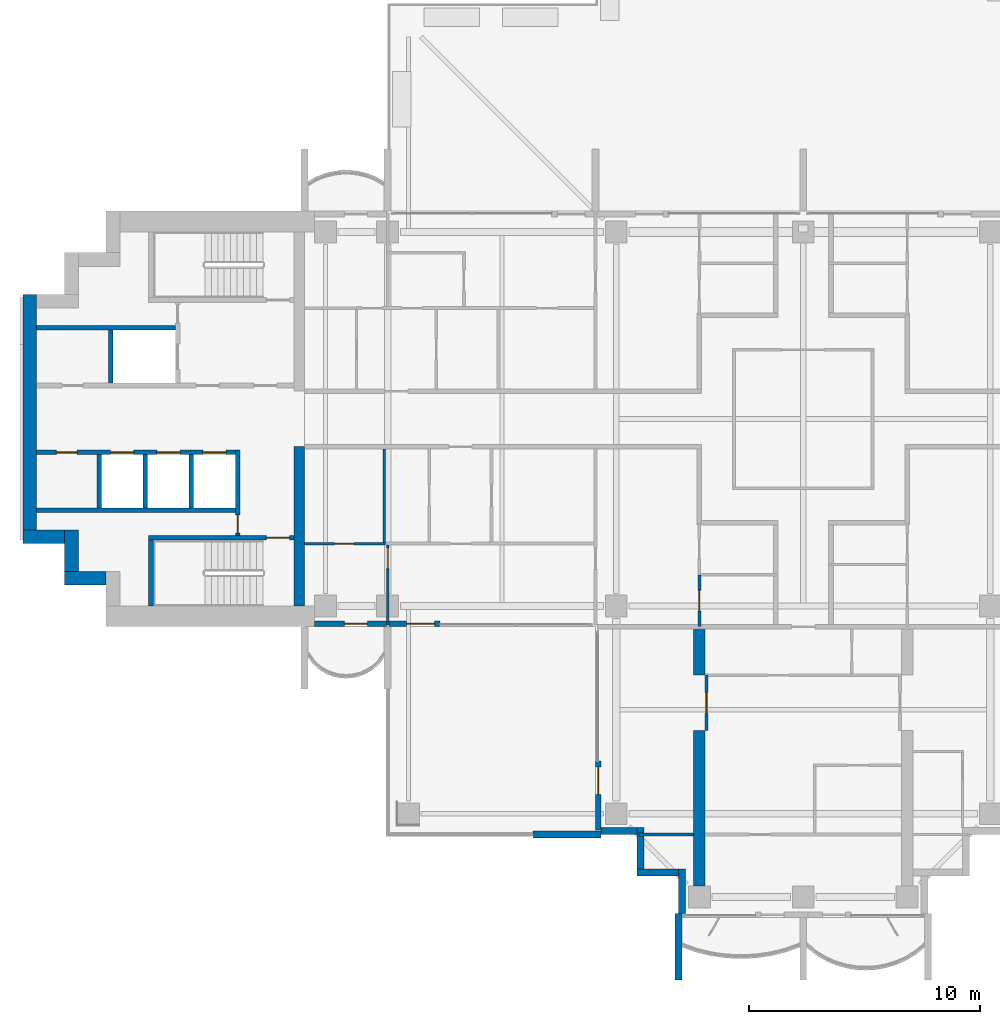
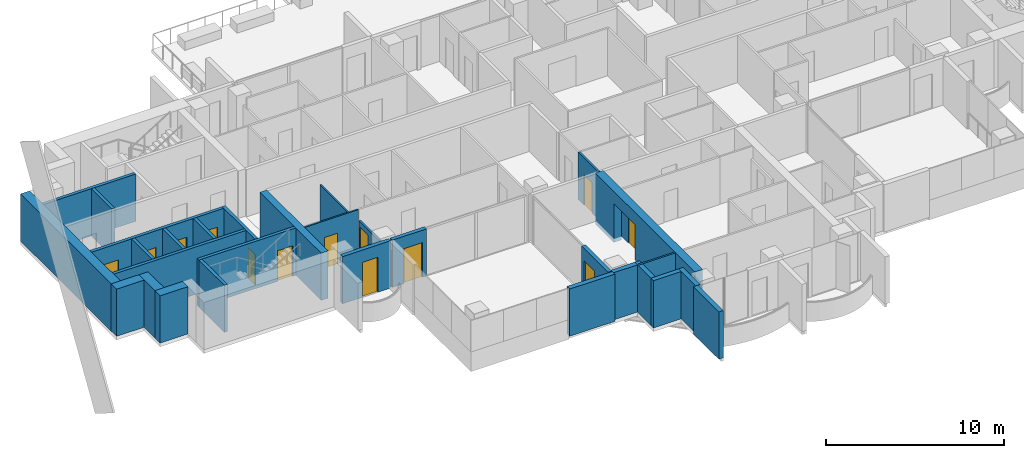
# One storey, part 8 of 18: 31 walls, 13 doors, 13 openings.
"""IFC4 building model written with IfcOpenShell, lengths in metres."""

import ifcopenshell
import ifcopenshell.guid

model = None  # the IFC model being written
_history = None  # IfcOwnerHistory: only IFC2X3 demands one
_inside = {}  # id of a spatial element -> (the spatial element, [elements in it])
_under = {}  # id of a project, library or spatial element -> (it, [spatial elements below it])
_declared = {}  # id of a project -> (the project, [libraries it declares])
_typed = {}  # id of a type object -> (the type object, [elements of that type])
_made_of = {}  # id of a material, layer set ... -> (it, [elements and type objects made of it])


def new_model(schema):
    """Start an empty IFC model of exactly this schema.

    Asked for "IFC4X3", IfcOpenShell would pick the latest addendum, in which some entities
    have other attributes; the version numbers below select the first issue.
    IFC2X3 requires an IfcOwnerHistory on every rooted entity: one is made here for all.
    """
    global model, _history
    if schema == "IFC4X3":
        model = ifcopenshell.file(schema_version=(4, 3, 0, 0))
    else:
        model = ifcopenshell.file(schema=schema)
    _inside.clear()
    _under.clear()
    _declared.clear()
    _typed.clear()
    _made_of.clear()
    _history = None
    if model.schema == "IFC2X3":
        org = make("IfcOrganization", Name="unknown")
        user = make(
            "IfcPersonAndOrganization",
            ThePerson=make("IfcPerson", FamilyName="unknown"),
            TheOrganization=org,
        )
        app = make(
            "IfcApplication",
            ApplicationDeveloper=org,
            Version="unknown",
            ApplicationFullName="unknown",
            ApplicationIdentifier="unknown",
        )
        _history = make(
            "IfcOwnerHistory",
            OwningUser=user,
            OwningApplication=app,
            ChangeAction="ADDED",
            CreationDate=0,
        )
    return model


def make(cls, **values):
    """One entity of the class cls with the attributes given. An attribute that is None is left unset."""
    return model.create_entity(
        cls, **{name: value for name, value in values.items() if value is not None}
    )


def rooted(cls, **values):
    """An entity with a GlobalId (a new one), such as an element, a storey or a relation."""
    return make(cls, GlobalId=ifcopenshell.guid.new(), OwnerHistory=_history, **values)


def si_unit(unit_type, name, prefix=None):
    """IfcSIUnit, for example si_unit("LENGTHUNIT", "METRE", prefix="MILLI")."""
    return make("IfcSIUnit", UnitType=unit_type, Prefix=prefix, Name=name)


def assignment(units):
    """IfcUnitAssignment: the units of a project."""
    return None if units is None else make("IfcUnitAssignment", Units=units)


def point(xyz):
    """IfcCartesianPoint."""
    return None if xyz is None else make("IfcCartesianPoint", Coordinates=xyz)


def direction(xyz):
    """IfcDirection."""
    return None if xyz is None else make("IfcDirection", DirectionRatios=xyz)


def frame(location, z_axis=None, x_axis=None):
    """IfcAxis2Placement3D, a coordinate frame: its origin and axes. An axis left out is left unset."""
    return make(
        "IfcAxis2Placement3D",
        Location=point(location),
        Axis=direction(z_axis),
        RefDirection=direction(x_axis),
    )


def frame_2d(location, x_axis=None):
    """IfcAxis2Placement2D, a coordinate frame in the plane: its origin and x axis."""
    return make(
        "IfcAxis2Placement2D", Location=point(location), RefDirection=direction(x_axis)
    )


def origin():
    """The frame at (0, 0, 0) with its axes left unset."""
    return frame((0.0, 0.0, 0.0))


def place(relative_to, where):
    """IfcLocalPlacement: puts the frame where relative to a parent placement (None: the world)."""
    return make(
        "IfcLocalPlacement", PlacementRelTo=relative_to, RelativePlacement=where
    )


def context(
    kind, dimensions, precision=None, world=None, true_north=None, identifier=None
):
    """IfcGeometricRepresentationContext, for example the 3D "Model" context."""
    return make(
        "IfcGeometricRepresentationContext",
        ContextIdentifier=identifier,
        ContextType=kind,
        CoordinateSpaceDimension=dimensions,
        Precision=precision,
        WorldCoordinateSystem=world,
        TrueNorth=true_north,
    )


def subcontext(parent, identifier, kind, view, scale=None):
    """IfcGeometricRepresentationSubContext, for example "Body" below "Model"."""
    return make(
        "IfcGeometricRepresentationSubContext",
        ContextIdentifier=identifier,
        ContextType=kind,
        ParentContext=parent,
        TargetScale=scale,
        TargetView=view,
    )


def project(units=None, contexts=None):
    """IfcProject with its units and contexts."""
    return rooted(
        "IfcProject",
        Name="project",
        RepresentationContexts=contexts,
        UnitsInContext=assignment(units),
    )


def spatial(cls, under=None, at=None, **own):
    """A site, building, storey or space (cls), placed at a placement, below another one or the project."""
    s = rooted(cls, ObjectPlacement=at, **own)
    if under is not None:
        _under.setdefault(under.id(), (under, []))[1].append(s)
    return s


def polyline(points):
    """IfcPolyline through the points."""
    return make("IfcPolyline", Points=[point(p) for p in points])


def profile(cls, at=None, kind="AREA", **sizes):
    """A parametric profile (cls). Its sizes go by their IFC names, for example OverallWidth=200.0."""
    return make(cls, ProfileType=kind, Position=at, **sizes)


def rectangle(**sizes):
    """IfcRectangleProfileDef."""
    return profile("IfcRectangleProfileDef", **sizes)


def outline(outer, holes=None, kind="AREA"):
    """IfcArbitraryClosedProfileDef: a profile drawn as a closed curve; with holes, ...WithVoids."""
    if holes is None:
        return make("IfcArbitraryClosedProfileDef", ProfileType=kind, OuterCurve=outer)
    return make(
        "IfcArbitraryProfileDefWithVoids",
        ProfileType=kind,
        OuterCurve=outer,
        InnerCurves=holes,
    )


def extrude(swept, where, along, depth):
    """IfcExtrudedAreaSolid: the profile swept, set in the frame where, extruded along a direction by depth."""
    return make(
        "IfcExtrudedAreaSolid",
        SweptArea=swept,
        Position=where,
        ExtrudedDirection=direction(along),
        Depth=depth,
    )


def shape(context_of_items, identifier, shape_type, items):
    """IfcShapeRepresentation: the items that make up one representation, for example the "Body"."""
    return make(
        "IfcShapeRepresentation",
        ContextOfItems=context_of_items,
        RepresentationIdentifier=identifier,
        RepresentationType=shape_type,
        Items=items,
    )


def material(Name=None, Category=None):
    """IfcMaterial."""
    return make("IfcMaterial", Name=Name, Category=Category)


def layer(
    of_material, thickness, ventilated=None, Name=None, Category=None, Priority=None
):
    """IfcMaterialLayer: one layer of a wall or slab, of a material (None: an air gap)."""
    return make(
        "IfcMaterialLayer",
        Material=of_material,
        LayerThickness=thickness,
        IsVentilated=ventilated,
        Name=Name,
        Category=Category,
        Priority=Priority,
    )


def layer_set(layers, Name=None):
    """IfcMaterialLayerSet."""
    return make("IfcMaterialLayerSet", MaterialLayers=layers, LayerSetName=Name)


def material_profile(
    of_material, cross_section, Name=None, Category=None, Priority=None
):
    """IfcMaterialProfile: a cross section and its material."""
    return make(
        "IfcMaterialProfile",
        Name=Name,
        Material=of_material,
        Profile=cross_section,
        Priority=Priority,
        Category=Category,
    )


def profile_set(profiles, Name=None, composite=None):
    """IfcMaterialProfileSet."""
    return make(
        "IfcMaterialProfileSet",
        Name=Name,
        MaterialProfiles=profiles,
        CompositeProfile=composite,
    )


def made_of(thing, what):
    """Note that an element or type object is made of a material, layer set ...; save() writes the relation."""
    if what is not None:
        _made_of.setdefault(what.id(), (what, []))[1].append(thing)
    return thing


def type_object(cls, material=None, **own):
    """A type object (cls), such as IfcWallType, which elements share."""
    return made_of(rooted(cls, **own), material)


def element(
    cls,
    number,
    at=None,
    inside=None,
    cuts=None,
    type_object=None,
    material=None,
    context=None,
    identifier="Body",
    shape_type=None,
    held_by="IfcProductDefinitionShape",
    body=None,
    shapes=None,
    **own,
):
    """One element of the class cls, such as IfcWall. Its Tag is "e" and its number.

    at: its placement. inside: the storey or other place that contains it. cuts: it is an
    opening in that element (IfcRelVoidsElement). A single representation is given by context,
    identifier, shape_type and body (its items); several are given by shapes. held_by: the class
    of the entity that holds the representations. save() writes the other relations.
    """
    e = rooted(cls, Tag="e%d" % number, ObjectPlacement=at, **own)
    if body is not None:
        shapes = [shape(context, identifier, shape_type, body)]
    if shapes is not None:
        e.Representation = make(held_by, Representations=shapes)
    if inside is not None:
        _inside.setdefault(inside.id(), (inside, []))[1].append(e)
    if cuts is not None:
        rooted(
            "IfcRelVoidsElement", RelatingBuildingElement=cuts, RelatedOpeningElement=e
        )
    if type_object is not None:
        _typed.setdefault(type_object.id(), (type_object, []))[1].append(e)
    return made_of(e, material)


def fill(opening, filler):
    """IfcRelFillsElement: the door or window that sits in an opening."""
    return rooted(
        "IfcRelFillsElement",
        RelatingOpeningElement=opening,
        RelatedBuildingElement=filler,
    )


def aggregate(whole, parts):
    """IfcRelAggregates: a whole, such as a stair, and the parts it consists of."""
    return rooted("IfcRelAggregates", RelatingObject=whole, RelatedObjects=parts)


def save(model, path):
    """Write the relations noted so far, then the file.

    IfcRelAggregates (storeys below a building ...), IfcRelContainedInSpatialStructure (elements
    in a storey), IfcRelDefinesByType, IfcRelAssociatesMaterial and IfcRelDeclares: one each for
    every whole, place, type object, material and project.
    """
    for whole, parts in _under.values():
        aggregate(whole, parts)
    for where, things in _inside.values():
        rooted(
            "IfcRelContainedInSpatialStructure",
            RelatedElements=things,
            RelatingStructure=where,
        )
    for kind, things in _typed.values():
        rooted("IfcRelDefinesByType", RelatedObjects=things, RelatingType=kind)
    for what, things in _made_of.values():
        rooted("IfcRelAssociatesMaterial", RelatedObjects=things, RelatingMaterial=what)
    for by, libraries in _declared.values():
        rooted("IfcRelDeclares", RelatingContext=by, RelatedDefinitions=libraries)
    model.write(path)


model = new_model("IFC4")

# Units and contexts
model_context = context("Model", 3, precision=1e-05, world=origin(), true_north=direction((0.0, 1.0)))
body_context = subcontext(model_context, "Body", "Model", "MODEL_VIEW")
ifc_project = project(units=[si_unit("LENGTHUNIT", "METRE"), si_unit("AREAUNIT", "SQUARE_METRE"), si_unit("VOLUMEUNIT", "CUBIC_METRE"), si_unit("PLANEANGLEUNIT", "RADIAN"), si_unit("MASSUNIT", "GRAM", prefix="KILO")], contexts=[model_context])

# Site, building, storey
site_placement = place(None, origin())
site = spatial("IfcSite", under=ifc_project, at=site_placement, CompositionType="ELEMENT")
building_placement = place(site_placement, origin())
building = spatial("IfcBuilding", under=site, at=building_placement, Name="Perihelion Cross Residences", CompositionType="ELEMENT")
storey_placement = place(building_placement, frame((0.0, 0.0, 166.60009765625)))
storey = spatial("IfcBuildingStorey", under=building, at=storey_placement, Name="L40", CompositionType="ELEMENT", Elevation=166.60009765625)

# Wall, opening, door
ifc_material_1 = material(Name="Concrete C30/37, bronze-clad", Category="concrete")
ifc_layer_1 = layer(ifc_material_1, 0.25)
ifc_layer_set_1 = layer_set([ifc_layer_1], Name="Bronze-clad pier wall 250")
wall_type_1 = type_object("IfcWallType", Name="Bronze-clad pier wall 250", PredefinedType="SOLIDWALL", material=ifc_layer_set_1)
wall_1_placement = place(storey_placement, frame((-21.175048828125, -8.875, 0.0), z_axis=(0.0, 0.0, 1.0), x_axis=(1.0, 0.0, 0.0)))
wall_1 = element("IfcWall", 1, at=wall_1_placement, inside=storey, type_object=wall_type_1, Name="Wall FW1 L40 west side south bay 1 pier", PredefinedType="SOLIDWALL", context=body_context, shape_type="SweptSolid", body=[
    extrude(rectangle(XDim=3.114990234375, YDim=0.25, at=frame_2d((1.5576171875, 0.0))), origin(), (0.0, 0.0, 1.0), 3.25),
])
opening_1_placement = place(wall_1_placement, frame((1.300048828125, 0.0, 0.0)))
opening_1 = element("IfcOpeningElement", 2, at=opening_1_placement, cuts=wall_1, Name="Opening L40.E07", PredefinedType="OPENING", context=body_context, shape_type="SweptSolid", body=[
    extrude(rectangle(XDim=1.0, YDim=2.39990234375, at=frame_2d((0.5, 1.199951171875))), frame((0.0, 0.135009765625, 0.0), z_axis=(0.0, -1.0, 0.0), x_axis=(1.0, 0.0, 0.0)), (0.0, 0.0, 1.0), 0.27001953125),
])
ifc_material_2 = material(Name="Bronze anodised aluminium, glazed", Category="aluminium")
door_type_1 = type_object("IfcDoorType", Name="Balcony door 1000 x 2400", OperationType="NOTDEFINED", PredefinedType="DOOR", material=ifc_material_2)
door_1_placement = place(opening_1_placement, origin())
door_1 = element("IfcDoor", 3, at=door_1_placement, inside=storey, type_object=door_type_1, Name="Door L40.E07 west side south bay 1", OperationType="SINGLE_SWING_LEFT", OverallHeight=2.39990234375, OverallWidth=1.0, PredefinedType="DOOR", context=body_context, shape_type="SweptSolid", body=[
    extrude(rectangle(XDim=1.0, YDim=2.39990234375, at=frame_2d((0.5, 1.199951171875))), frame((0.0, 0.02490234375, 0.0), z_axis=(0.0, -1.0, 0.0), x_axis=(1.0, 0.0, 0.0)), (0.0, 0.0, 1.0), 0.050048828125),
])
fill(opening_1, door_1)

wall_2_placement = place(storey_placement, frame((-17.93994140625, -8.875, 0.0), z_axis=(0.0, 0.0, 1.0), x_axis=(1.0, 0.0, 0.0)))
wall_2 = element("IfcWall", 4, at=wall_2_placement, inside=storey, type_object=wall_type_1, Name="Wall FW1 L40 west side south bay 2 pier", PredefinedType="SOLIDWALL", context=body_context, shape_type="SweptSolid", body=[
    extrude(rectangle(XDim=2.21484375, YDim=0.25, at=frame_2d((1.107421875, 0.0))), origin(), (0.0, 0.0, 1.0), 3.25),
])
opening_2_placement = place(wall_2_placement, frame((0.764892578125, 0.0, 0.0)))
opening_2 = element("IfcOpeningElement", 5, at=opening_2_placement, cuts=wall_2, Name="Opening L40.E08", PredefinedType="OPENING", context=body_context, shape_type="SweptSolid", body=[
    extrude(rectangle(XDim=1.199951171875, YDim=2.39990234375, at=frame_2d((0.60009765625, 1.199951171875))), frame((0.0, 0.135009765625, 0.0), z_axis=(0.0, -1.0, 0.0), x_axis=(1.0, 0.0, 0.0)), (0.0, 0.0, 1.0), 0.27001953125),
])
ifc_material_3 = material(Name="Bronze anodised aluminium, glazed", Category="aluminium")
door_type_2 = type_object("IfcDoorType", Name="Balcony door 1200 x 2400", OperationType="NOTDEFINED", PredefinedType="DOOR", material=ifc_material_3)
door_2_placement = place(opening_2_placement, origin())
door_2 = element("IfcDoor", 6, at=door_2_placement, inside=storey, type_object=door_type_2, Name="Door L40.E08 west side south bay 2", OperationType="SINGLE_SWING_RIGHT", OverallHeight=2.39990234375, OverallWidth=1.199951171875, PredefinedType="DOOR", context=body_context, shape_type="SweptSolid", body=[
    extrude(rectangle(XDim=1.199951171875, YDim=2.39990234375, at=frame_2d((0.60009765625, 1.199951171875))), frame((0.0, 0.02490234375, 0.0), z_axis=(0.0, -1.0, 0.0), x_axis=(1.0, 0.0, 0.0)), (0.0, 0.0, 1.0), 0.050048828125),
])
fill(opening_2, door_2)

wall_3_placement = place(storey_placement, frame((-8.875, -14.824951171875, 0.0), z_axis=(0.0, 0.0, 1.0), x_axis=(0.0, -1.0, 0.0)))
wall_3 = element("IfcWall", 7, at=wall_3_placement, inside=storey, type_object=wall_type_1, Name="Wall FW1 L40 south side west bay 1 pier", PredefinedType="SOLIDWALL", context=body_context, shape_type="SweptSolid", body=[
    extrude(rectangle(XDim=2.97509765625, YDim=0.25, at=frame_2d((1.487548828125, 0.0))), origin(), (0.0, 0.0, 1.0), 3.25),
])
opening_3_placement = place(wall_3_placement, frame((0.25, 0.0, 0.0)))
opening_3 = element("IfcOpeningElement", 8, at=opening_3_placement, cuts=wall_3, Name="Opening L40.E09", PredefinedType="OPENING", context=body_context, shape_type="SweptSolid", body=[
    extrude(rectangle(XDim=1.199951171875, YDim=2.39990234375, at=frame_2d((0.60009765625, 1.199951171875))), frame((0.0, 0.135009765625, 0.0), z_axis=(0.0, -1.0, 0.0), x_axis=(1.0, 0.0, 0.0)), (0.0, 0.0, 1.0), 0.27001953125),
])
door_3_placement = place(opening_3_placement, origin())
door_3 = element("IfcDoor", 9, at=door_3_placement, inside=storey, type_object=door_type_2, Name="Door L40.E09 south side west bay 1", OperationType="SINGLE_SWING_LEFT", OverallHeight=2.39990234375, OverallWidth=1.199951171875, PredefinedType="DOOR", context=body_context, shape_type="SweptSolid", body=[
    extrude(rectangle(XDim=1.199951171875, YDim=2.39990234375, at=frame_2d((0.60009765625, 1.199951171875))), frame((0.0, 0.02490234375, 0.0), z_axis=(0.0, -1.0, 0.0), x_axis=(1.0, 0.0, 0.0)), (0.0, 0.0, 1.0), 0.050048828125),
])
fill(opening_3, door_3)

# Walls
ifc_material_4 = material(Name="Concrete C30/37, bronze-clad", Category="concrete")
ifc_layer_2 = layer(ifc_material_4, 0.300048828125)
ifc_layer_set_2 = layer_set([ifc_layer_2], Name="Bronze-clad serration wall 300")
wall_type_2 = type_object("IfcWallType", Name="Bronze-clad serration wall 300", PredefinedType="SOLIDWALL", material=ifc_layer_set_2)
wall_4_placement = place(storey_placement, frame((-8.75, -17.85009765625, 0.0), z_axis=(0.0, 0.0, 1.0), x_axis=(1.0, 0.0, 0.0)))
element("IfcWall", 10, at=wall_4_placement, inside=storey, type_object=wall_type_2, Name="Wall SR1 L40 south corner south-west 1", PredefinedType="SOLIDWALL", context=body_context, shape_type="SweptSolid", body=[
    extrude(rectangle(XDim=1.550048828125, YDim=0.300048828125, at=frame_2d((0.77490234375, 0.0))), origin(), (0.0, 0.0, 1.0), 3.25),
])
for number, where, z_axis, x_axis, name in (
    (11, (-7.050048828125, -17.699951171875, 0.0), (0.0, 0.0, 1.0), (0.0, -1.0, 0.0), "Wall SR1 L40 south corner south-west 2"),
    (12, (-7.199951171875, -19.64990234375, 0.0), (0.0, 0.0, 1.0), (1.0, 0.0, 0.0), "Wall SR1 L40 south corner south-west 3"),
):
    element("IfcWall", number, at=place(storey_placement, frame(where, z_axis=z_axis, x_axis=x_axis)), inside=storey, type_object=wall_type_2, Name=name, PredefinedType="SOLIDWALL", context=body_context, shape_type="SweptSolid", body=[
        extrude(rectangle(XDim=1.800048828125, YDim=0.300048828125, at=frame_2d((0.89990234375, 0.0))), origin(), (0.0, 0.0, 1.0), 3.25),
    ])
wall_5_placement = place(storey_placement, frame((-5.25, -19.5, 0.0), z_axis=(0.0, 0.0, 1.0), x_axis=(0.0, -1.0, 0.0)))
element("IfcWall", 13, at=wall_5_placement, inside=storey, type_object=wall_type_2, Name="Wall SR1 L40 south corner south-west 4", PredefinedType="SOLIDWALL", context=body_context, shape_type="SweptSolid", body=[
    extrude(rectangle(XDim=1.919921875, YDim=0.300048828125, at=frame_2d((0.9599609375, 0.0))), origin(), (0.0, 0.0, 1.0), 3.25),
])
ifc_material_5 = material(Name="Concrete C60/75", Category="concrete")
ifc_layer_3 = layer(ifc_material_5, 0.449951171875)
ifc_layer_set_3 = layer_set([ifc_layer_3], Name="Core wall, inner 450")
wall_type_3 = type_object("IfcWallType", Name="Core wall, inner 450", PredefinedType="SHEAR", material=ifc_layer_set_3)
wall_6_placement = place(storey_placement, frame((-21.824951171875, -8.10009765625, 0.0), z_axis=(0.0, 0.0, 1.0), x_axis=(0.0, 1.0, 0.0)))
element("IfcWall", 14, at=wall_6_placement, inside=storey, type_object=wall_type_3, Name="West core core wall, inner", PredefinedType="SHEAR", context=body_context, shape_type="SweptSolid", body=[
    extrude(rectangle(XDim=6.900146484375, YDim=0.449951171875, at=frame_2d((3.4501953125, 0.0))), origin(), (0.0, 0.0, 1.0), 3.25),
])
ifc_material_6 = material(Name="Concrete C60/75", Category="concrete")
ifc_layer_4 = layer(ifc_material_6, 0.60009765625)
ifc_layer_set_4 = layer_set([ifc_layer_4], Name="Core wall, outer 600")
wall_type_4 = type_object("IfcWallType", Name="Core wall, outer 600", PredefinedType="SHEAR", material=ifc_layer_set_4)
for number, where, z_axis, x_axis, name in (
    (15, (-32.0, -6.89990234375, 0.0), (0.0, 0.0, 1.0), (1.0, 0.0, 0.0), "West core core wall, outer"),
    (16, (-31.699951171875, -6.60009765625, 0.0), (0.0, 0.0, 1.0), (0.0, 1.0, 0.0), "West core core wall, outer"),
    (17, (-33.800048828125, -5.10009765625, 0.0), (0.0, 0.0, 1.0), (1.0, 0.0, 0.0), "West core core wall, outer"),
):
    element("IfcWall", number, at=place(storey_placement, frame(where, z_axis=z_axis, x_axis=x_axis)), inside=storey, type_object=wall_type_4, Name=name, PredefinedType="SHEAR", context=body_context, shape_type="SweptSolid", body=[
        extrude(rectangle(XDim=1.800048828125, YDim=0.60009765625, at=frame_2d((0.89990234375, 0.0))), origin(), (0.0, 0.0, 1.0), 3.25),
    ])
wall_7_placement = place(storey_placement, frame((-33.5, -4.800048828125, 0.0), z_axis=(0.0, 0.0, 1.0), x_axis=(0.0, 1.0, 0.0)))
element("IfcWall", 18, at=wall_7_placement, inside=storey, type_object=wall_type_4, Name="West core core wall, outer", PredefinedType="SHEAR", context=body_context, shape_type="SweptSolid", body=[
    extrude(rectangle(XDim=10.199951171875, YDim=0.60009765625, at=frame_2d((5.10009765625, 0.0))), origin(), (0.0, 0.0, 1.0), 3.25),
])

# Wall, opening, door
ifc_material_7 = material(Name="Plasterboard partition")
ifc_layer_5 = layer(ifc_material_7, 0.1201171875)
ifc_layer_set_5 = layer_set([ifc_layer_5], Name="Infill panel 120")
wall_type_5 = type_object("IfcWallType", Name="Infill panel 120", PredefinedType="PARTITIONING", material=ifc_layer_set_5)
wall_8_placement = place(storey_placement, frame((-4.18994140625, -11.10009765625, 0.0), z_axis=(0.0, 0.0, 1.0), x_axis=(0.0, -1.0, 0.0)))
wall_8 = element("IfcWall", 19, at=wall_8_placement, inside=storey, type_object=wall_type_5, Name="Partition L40 WI02", PredefinedType="PARTITIONING", context=body_context, shape_type="SweptSolid", body=[
    extrude(rectangle(XDim=2.39990234375, YDim=0.1201171875, at=frame_2d((1.199951171875, 0.0))), origin(), (0.0, 0.0, 1.0), 2.39990234375),
])
opening_4_placement = place(wall_8_placement, frame((0.75, 0.0, 0.0)))
opening_4 = element("IfcOpeningElement", 20, at=opening_4_placement, cuts=wall_8, Name="Opening L40.A50", PredefinedType="OPENING", context=body_context, shape_type="SweptSolid", body=[
    extrude(rectangle(XDim=0.89990234375, YDim=2.10009765625, at=frame_2d((0.449951171875, 1.050048828125))), frame((0.0, 0.070068359375, 0.0), z_axis=(0.0, -1.0, 0.0), x_axis=(1.0, 0.0, 0.0)), (0.0, 0.0, 1.0), 0.14013671875),
])
ifc_material_8 = material(Name="Timber door leaf", Category="wood")
door_type_3 = type_object("IfcDoorType", Name="Interior room door 900 x 2100", OperationType="SINGLE_SWING_LEFT", PredefinedType="DOOR", material=ifc_material_8)
door_4_placement = place(opening_4_placement, origin())
door_4 = element("IfcDoor", 21, at=door_4_placement, inside=storey, type_object=door_type_3, Name="Door L40.A50", OperationType="SINGLE_SWING_RIGHT", OverallHeight=2.10009765625, OverallWidth=0.89990234375, PredefinedType="DOOR", context=body_context, shape_type="SweptSolid", body=[
    extrude(rectangle(XDim=0.89990234375, YDim=2.10009765625, at=frame_2d((0.449951171875, 1.050048828125))), frame((0.0, 0.02490234375, 0.0), z_axis=(0.0, -1.0, 0.0), x_axis=(1.0, 0.0, 0.0)), (0.0, 0.0, 1.0), 0.050048828125),
])
fill(opening_4, door_4)

ifc_material_9 = material(Name="Concrete C50/60", Category="concrete")
ifc_layer_6 = layer(ifc_material_9, 0.199951171875)
ifc_layer_set_6 = layer_set([ifc_layer_6], Name="Lobby wall 200")
wall_type_6 = type_object("IfcWallType", Name="Lobby wall 200", PredefinedType="SOLIDWALL", material=ifc_layer_set_6)
wall_9_placement = place(storey_placement, frame((-24.5, -5.050048828125, 0.0), z_axis=(0.0, 0.0, 1.0), x_axis=(0.0, 1.0, 0.0)))
wall_9 = element("IfcWall", 22, at=wall_9_placement, inside=storey, type_object=wall_type_6, Name="West core lobby wall", PredefinedType="SOLIDWALL", context=body_context, shape_type="SweptSolid", body=[
    extrude(rectangle(XDim=3.699951171875, YDim=0.199951171875, at=frame_2d((1.85009765625, 0.0))), origin(), (0.0, 0.0, 1.0), 3.25),
])
opening_5_placement = place(wall_9_placement, frame((0.10009765625, 0.0, 0.0)))
opening_5 = element("IfcOpeningElement", 23, at=opening_5_placement, cuts=wall_9, Name="Opening L40.C20", PredefinedType="OPENING", context=body_context, shape_type="SweptSolid", body=[
    extrude(rectangle(XDim=0.800048828125, YDim=2.10009765625, at=frame_2d((0.39990234375, 1.050048828125))), frame((0.0, 0.10986328125, 0.0), z_axis=(0.0, -1.0, 0.0), x_axis=(1.0, 0.0, 0.0)), (0.0, 0.0, 1.0), 0.219970703125),
])
ifc_material_10 = material(Name="Steel, powder coated", Category="steel")
door_type_4 = type_object("IfcDoorType", Name="Riser door 800", OperationType="SINGLE_SWING_LEFT", PredefinedType="DOOR", material=ifc_material_10)
door_5_placement = place(opening_5_placement, origin())
door_5 = element("IfcDoor", 24, at=door_5_placement, inside=storey, type_object=door_type_4, Name="West core riser door", OperationType="SINGLE_SWING_LEFT", OverallHeight=2.10009765625, OverallWidth=0.800048828125, PredefinedType="DOOR", context=body_context, shape_type="SweptSolid", body=[
    extrude(rectangle(XDim=0.800048828125, YDim=2.10009765625, at=frame_2d((0.39990234375, 1.050048828125))), frame((0.0, 0.02490234375, 0.0), z_axis=(0.0, -1.0, 0.0), x_axis=(1.0, 0.0, 0.0)), (0.0, 0.0, 1.0), 0.050048828125),
])
fill(opening_5, door_5)

ifc_material_11 = material(Name="Plasterboard partition")
ifc_layer_7 = layer(ifc_material_11, 0.1201171875)
ifc_layer_set_7 = layer_set([ifc_layer_7], Name="Partition wall 120")
wall_type_7 = type_object("IfcWallType", Name="Partition wall 120", PredefinedType="PARTITIONING", material=ifc_layer_set_7)
wall_10_placement = place(storey_placement, frame((-18.0, -8.919921875, 0.0), z_axis=(0.0, 0.0, 1.0), x_axis=(0.0, 1.0, 0.0)))
wall_10 = element("IfcWall", 25, at=wall_10_placement, inside=storey, type_object=wall_type_7, Name="Partition L40 W069", PredefinedType="PARTITIONING", context=body_context, shape_type="SweptSolid", body=[
    extrude(rectangle(XDim=3.4599609375, YDim=0.1201171875, at=frame_2d((1.72998046875, 0.0))), origin(), (0.0, 0.0, 1.0), 2.47998046875),
])
opening_6_placement = place(wall_10_placement, frame((2.43994140625, 0.0, 0.0)))
opening_6 = element("IfcOpeningElement", 26, at=opening_6_placement, cuts=wall_10, Name="Opening L40.A35", PredefinedType="OPENING", context=body_context, shape_type="SweptSolid", body=[
    extrude(rectangle(XDim=0.89990234375, YDim=2.10009765625, at=frame_2d((0.449951171875, 1.050048828125))), frame((0.0, 0.070068359375, 0.0), z_axis=(0.0, -1.0, 0.0), x_axis=(1.0, 0.0, 0.0)), (0.0, 0.0, 1.0), 0.14013671875),
])
door_6_placement = place(opening_6_placement, origin())
door_6 = element("IfcDoor", 27, at=door_6_placement, inside=storey, type_object=door_type_3, Name="Door L40.A35", OperationType="SINGLE_SWING_RIGHT", OverallHeight=2.10009765625, OverallWidth=0.89990234375, PredefinedType="DOOR", context=body_context, shape_type="SweptSolid", body=[
    extrude(rectangle(XDim=0.89990234375, YDim=2.10009765625, at=frame_2d((0.449951171875, 1.050048828125))), frame((0.0, 0.02490234375, 0.0), z_axis=(0.0, -1.0, 0.0), x_axis=(1.0, 0.0, 0.0)), (0.0, 0.0, 1.0), 0.050048828125),
])
fill(opening_6, door_6)

wall_11_placement = place(storey_placement, frame((-4.5, -6.75, 0.0), z_axis=(0.0, 0.0, 1.0), x_axis=(0.0, -1.0, 0.0)))
wall_11 = element("IfcWall", 28, at=wall_11_placement, inside=storey, type_object=wall_type_7, Name="Partition L40 W071", PredefinedType="PARTITIONING", context=body_context, shape_type="SweptSolid", body=[
    extrude(rectangle(XDim=2.25, YDim=0.1201171875, at=frame_2d((1.125, 0.0))), origin(), (0.0, 0.0, 1.0), 3.25),
])
opening_7_placement = place(wall_11_placement, frame((0.675048828125, 0.0, 0.0)))
opening_7 = element("IfcOpeningElement", 29, at=opening_7_placement, cuts=wall_11, Name="Opening L40.A33", PredefinedType="OPENING", context=body_context, shape_type="SweptSolid", body=[
    extrude(rectangle(XDim=0.89990234375, YDim=2.10009765625, at=frame_2d((0.449951171875, 1.050048828125))), frame((0.0, 0.070068359375, 0.0), z_axis=(0.0, -1.0, 0.0), x_axis=(1.0, 0.0, 0.0)), (0.0, 0.0, 1.0), 0.14013671875),
])
door_7_placement = place(opening_7_placement, origin())
door_7 = element("IfcDoor", 30, at=door_7_placement, inside=storey, type_object=door_type_3, Name="Door L40.A33", OperationType="SINGLE_SWING_LEFT", OverallHeight=2.10009765625, OverallWidth=0.89990234375, PredefinedType="DOOR", context=body_context, shape_type="SweptSolid", body=[
    extrude(rectangle(XDim=0.89990234375, YDim=2.10009765625, at=frame_2d((0.449951171875, 1.050048828125))), frame((0.0, 0.02490234375, 0.0), z_axis=(0.0, -1.0, 0.0), x_axis=(1.0, 0.0, 0.0)), (0.0, 0.0, 1.0), 0.050048828125),
])
fill(opening_7, door_7)

# Walls
wall_12_placement = place(storey_placement, frame((-4.75, -18.0, 0.0), z_axis=(0.0, 0.0, 1.0), x_axis=(-1.0, 0.0, 0.0)))
element("IfcWall", 31, at=wall_12_placement, inside=storey, type_object=wall_type_7, Name="Partition L40 W082", PredefinedType="PARTITIONING", context=body_context, shape_type="SweptSolid", body=[
    extrude(rectangle(XDim=2.3701171875, YDim=0.1201171875, at=frame_2d((1.18505859375, 0.0))), origin(), (0.0, 0.0, 1.0), 3.25),
])
ifc_material_12 = material(Name="Precast concrete C50/60", Category="concrete")
ifc_layer_8 = layer(ifc_material_12, 0.300048828125)
ifc_layer_set_8 = layer_set([ifc_layer_8], Name="Precast concrete C50/60 blade wall 300")
wall_type_8 = type_object("IfcWallType", Name="Precast concrete C50/60 blade wall 300", PredefinedType="SOLIDWALL", material=ifc_layer_set_8)
wall_13_placement = place(storey_placement, frame((-8.75, -18.0, 0.0), z_axis=(0.0, 0.0, 1.0), x_axis=(-1.0, 0.0, 0.0)))
element("IfcWall", 32, at=wall_13_placement, inside=storey, type_object=wall_type_8, Name="Wall BL1 L40 no. 6", PredefinedType="SOLIDWALL", context=body_context, shape_type="SweptSolid", body=[
    extrude(rectangle(XDim=2.949951171875, YDim=0.300048828125, at=frame_2d((1.47509765625, 0.0))), origin(), (0.0, 0.0, 1.0), 3.25),
])
wall_14_placement = place(storey_placement, frame((-5.39990234375, -21.419921875, 0.0), z_axis=(0.0, 0.0, 1.0), x_axis=(0.0, -1.0, 0.0)))
element("IfcWall", 33, at=wall_14_placement, inside=storey, type_object=wall_type_8, Name="Wall BL1 L40 no. 5", PredefinedType="SOLIDWALL", context=body_context, shape_type="SweptSolid", body=[
    extrude(rectangle(XDim=2.880126953125, YDim=0.300048828125, at=frame_2d((1.43994140625, 0.0))), origin(), (0.0, 0.0, 1.0), 3.25),
])

# Wall, openings, doors
ifc_material_13 = material(Name="Concrete C50/60", Category="concrete")
ifc_layer_9 = layer(ifc_material_13, 0.199951171875)
ifc_layer_set_9 = layer_set([ifc_layer_9], Name="Shaft wall 200")
wall_type_9 = type_object("IfcWallType", Name="Shaft wall 200", PredefinedType="SOLIDWALL", material=ifc_layer_set_9)
wall_15_placement = place(storey_placement, frame((-33.199951171875, -1.449951171875, 0.0), z_axis=(0.0, 0.0, 1.0), x_axis=(1.0, 0.0, 0.0)))
wall_15 = element("IfcWall", 34, at=wall_15_placement, inside=storey, type_object=wall_type_9, Name="West core shaft wall", PredefinedType="SOLIDWALL", context=body_context, shape_type="SweptSolid", body=[
    extrude(rectangle(XDim=8.599853515625, YDim=0.199951171875, at=frame_2d((4.2998046875, 0.0))), origin(), (0.0, 0.0, 1.0), 3.25),
])
opening_8_placement = place(wall_15_placement, frame((7.199951171875, 0.0, 0.0)))
opening_8 = element("IfcOpeningElement", 35, at=opening_8_placement, cuts=wall_15, Name="Opening L40.C13", PredefinedType="OPENING", context=body_context, shape_type="SweptSolid", body=[
    extrude(rectangle(XDim=1.0, YDim=2.10009765625, at=frame_2d((0.5, 1.050048828125))), frame((0.0, 0.10986328125, 0.0), z_axis=(0.0, -1.0, 0.0), x_axis=(1.0, 0.0, 0.0)), (0.0, 0.0, 1.0), 0.219970703125),
])
opening_9_placement = place(wall_15_placement, frame((5.199951171875, 0.0, 0.0)))
opening_9 = element("IfcOpeningElement", 36, at=opening_9_placement, cuts=wall_15, Name="Opening L40.C15", PredefinedType="OPENING", context=body_context, shape_type="SweptSolid", body=[
    extrude(rectangle(XDim=1.0, YDim=2.10009765625, at=frame_2d((0.5, 1.050048828125))), frame((0.0, 0.10986328125, 0.0), z_axis=(0.0, -1.0, 0.0), x_axis=(1.0, 0.0, 0.0)), (0.0, 0.0, 1.0), 0.219970703125),
])
opening_10_placement = place(wall_15_placement, frame((3.199951171875, 0.0, 0.0)))
opening_10 = element("IfcOpeningElement", 37, at=opening_10_placement, cuts=wall_15, Name="Opening L40.C16", PredefinedType="OPENING", context=body_context, shape_type="SweptSolid", body=[
    extrude(rectangle(XDim=1.0, YDim=2.10009765625, at=frame_2d((0.5, 1.050048828125))), frame((0.0, 0.10986328125, 0.0), z_axis=(0.0, -1.0, 0.0), x_axis=(1.0, 0.0, 0.0)), (0.0, 0.0, 1.0), 0.219970703125),
])
opening_11_placement = place(wall_15_placement, frame((0.85009765625, 0.0, 0.0)))
opening_11 = element("IfcOpeningElement", 38, at=opening_11_placement, cuts=wall_15, Name="Opening L40.C24", PredefinedType="OPENING", context=body_context, shape_type="SweptSolid", body=[
    extrude(rectangle(XDim=0.89990234375, YDim=2.10009765625, at=frame_2d((0.449951171875, 1.050048828125))), frame((0.0, 0.10986328125, 0.0), z_axis=(0.0, -1.0, 0.0), x_axis=(1.0, 0.0, 0.0)), (0.0, 0.0, 1.0), 0.219970703125),
])
ifc_material_14 = material(Name="Stainless steel", Category="steel")
door_type_5 = type_object("IfcDoorType", Name="Landing door 1000", OperationType="DOUBLE_DOOR_SLIDING", PredefinedType="DOOR", material=ifc_material_14)
door_8_placement = place(opening_8_placement, origin())
door_8 = element("IfcDoor", 39, at=door_8_placement, inside=storey, type_object=door_type_5, Name="Landing door, West core high-rise lift 1", OperationType="DOUBLE_DOOR_SLIDING", OverallHeight=2.10009765625, OverallWidth=1.0, PredefinedType="DOOR", context=body_context, shape_type="SweptSolid", body=[
    extrude(rectangle(XDim=1.0, YDim=2.10009765625, at=frame_2d((0.5, 1.050048828125))), frame((0.0, 0.02490234375, 0.0), z_axis=(0.0, -1.0, 0.0), x_axis=(1.0, 0.0, 0.0)), (0.0, 0.0, 1.0), 0.050048828125),
])
fill(opening_8, door_8)
door_9_placement = place(opening_9_placement, origin())
door_9 = element("IfcDoor", 40, at=door_9_placement, inside=storey, type_object=door_type_5, Name="Landing door, West core high-rise lift 2", OperationType="DOUBLE_DOOR_SLIDING", OverallHeight=2.10009765625, OverallWidth=1.0, PredefinedType="DOOR", context=body_context, shape_type="SweptSolid", body=[
    extrude(rectangle(XDim=1.0, YDim=2.10009765625, at=frame_2d((0.5, 1.050048828125))), frame((0.0, 0.02490234375, 0.0), z_axis=(0.0, -1.0, 0.0), x_axis=(1.0, 0.0, 0.0)), (0.0, 0.0, 1.0), 0.050048828125),
])
fill(opening_9, door_9)
door_10_placement = place(opening_10_placement, origin())
door_10 = element("IfcDoor", 41, at=door_10_placement, inside=storey, type_object=door_type_5, Name="Landing door, West core high-rise lift 3", OperationType="DOUBLE_DOOR_SLIDING", OverallHeight=2.10009765625, OverallWidth=1.0, PredefinedType="DOOR", context=body_context, shape_type="SweptSolid", body=[
    extrude(rectangle(XDim=1.0, YDim=2.10009765625, at=frame_2d((0.5, 1.050048828125))), frame((0.0, 0.02490234375, 0.0), z_axis=(0.0, -1.0, 0.0), x_axis=(1.0, 0.0, 0.0)), (0.0, 0.0, 1.0), 0.050048828125),
])
fill(opening_10, door_10)
ifc_material_15 = material(Name="Steel, powder coated", Category="steel")
door_type_6 = type_object("IfcDoorType", Name="Service room door 900", OperationType="SINGLE_SWING_LEFT", PredefinedType="DOOR", material=ifc_material_15)
door_11_placement = place(opening_11_placement, origin())
door_11 = element("IfcDoor", 42, at=door_11_placement, inside=storey, type_object=door_type_6, Name="West core service room door", OperationType="SINGLE_SWING_LEFT", OverallHeight=2.10009765625, OverallWidth=0.89990234375, PredefinedType="DOOR", context=body_context, shape_type="SweptSolid", body=[
    extrude(rectangle(XDim=0.89990234375, YDim=2.10009765625, at=frame_2d((0.449951171875, 1.050048828125))), frame((0.0, 0.02490234375, 0.0), z_axis=(0.0, -1.0, 0.0), x_axis=(1.0, 0.0, 0.0)), (0.0, 0.0, 1.0), 0.050048828125),
])
fill(opening_11, door_11)

# Walls
wall_16_placement = place(storey_placement, frame((-33.199951171875, 3.949951171875, 0.0), z_axis=(0.0, 0.0, 1.0), x_axis=(1.0, 0.0, 0.0)))
element("IfcWall", 43, at=wall_16_placement, inside=storey, type_object=wall_type_9, Name="West core shaft wall", PredefinedType="SOLIDWALL", context=body_context, shape_type="SweptSolid", body=[
    extrude(rectangle(XDim=6.0, YDim=0.199951171875, at=frame_2d((3.0, 0.0))), origin(), (0.0, 0.0, 1.0), 3.25),
])
wall_17_placement = place(storey_placement, frame((-33.199951171875, -3.949951171875, 0.0), z_axis=(0.0, 0.0, 1.0), x_axis=(1.0, 0.0, 0.0)))
element("IfcWall", 44, at=wall_17_placement, inside=storey, type_object=wall_type_9, Name="West core shaft wall", PredefinedType="SOLIDWALL", context=body_context, shape_type="SweptSolid", body=[
    extrude(rectangle(XDim=8.599853515625, YDim=0.199951171875, at=frame_2d((4.2998046875, 0.0))), origin(), (0.0, 0.0, 1.0), 3.25),
])
for number, where, z_axis, x_axis, name in (
    (45, (-30.0, 1.550048828125, 0.0), (0.0, 0.0, 1.0), (0.0, 1.0, 0.0), "West core shaft wall"),
    (46, (-26.5, -3.85009765625, 0.0), (0.0, 0.0, 1.0), (0.0, 1.0, 0.0), "West core shaft wall"),
    (47, (-28.5, -3.85009765625, 0.0), (0.0, 0.0, 1.0), (0.0, 1.0, 0.0), "West core shaft wall"),
    (48, (-30.5, -3.85009765625, 0.0), (0.0, 0.0, 1.0), (0.0, 1.0, 0.0), "West core shaft wall"),
):
    element("IfcWall", number, at=place(storey_placement, frame(where, z_axis=z_axis, x_axis=x_axis)), inside=storey, type_object=wall_type_9, Name=name, PredefinedType="SOLIDWALL", context=body_context, shape_type="SweptSolid", body=[
        extrude(rectangle(XDim=2.300048828125, YDim=0.199951171875, at=frame_2d((1.14990234375, 0.0))), origin(), (0.0, 0.0, 1.0), 3.25),
    ])

# Wall, opening, door
ifc_material_16 = material(Name="Concrete C50/60", Category="concrete")
ifc_layer_10 = layer(ifc_material_16, 0.199951171875)
ifc_layer_set_10 = layer_set([ifc_layer_10], Name="Stair wall 200")
wall_type_10 = type_object("IfcWallType", Name="Stair wall 200", PredefinedType="SOLIDWALL", material=ifc_layer_set_10)
wall_18_placement = place(storey_placement, frame((-28.35009765625, -5.14990234375, 0.0), z_axis=(0.0, 0.0, 1.0), x_axis=(1.0, 0.0, 0.0)))
wall_18 = element("IfcWall", 49, at=wall_18_placement, inside=storey, type_object=wall_type_10, Name="West core stair wall", PredefinedType="SOLIDWALL", context=body_context, shape_type="SweptSolid", body=[
    extrude(rectangle(XDim=6.300048828125, YDim=0.199951171875, at=frame_2d((3.14990234375, 0.0))), origin(), (0.0, 0.0, 1.0), 3.25),
])
opening_12_placement = place(wall_18_placement, frame((5.10009765625, 0.0, 0.0)))
opening_12 = element("IfcOpeningElement", 50, at=opening_12_placement, cuts=wall_18, Name="Opening L40.C17", PredefinedType="OPENING", context=body_context, shape_type="SweptSolid", body=[
    extrude(rectangle(XDim=1.0, YDim=2.10009765625, at=frame_2d((0.5, 1.050048828125))), frame((0.0, 0.10986328125, 0.0), z_axis=(0.0, -1.0, 0.0), x_axis=(1.0, 0.0, 0.0)), (0.0, 0.0, 1.0), 0.219970703125),
])
ifc_material_17 = material(Name="Steel, powder coated", Category="steel")
door_type_7 = type_object("IfcDoorType", Name="Stair door 1000", OperationType="SINGLE_SWING_LEFT", PredefinedType="DOOR", material=ifc_material_17)
door_12_placement = place(opening_12_placement, origin())
door_12 = element("IfcDoor", 51, at=door_12_placement, inside=storey, type_object=door_type_7, Name="West core stair door", OperationType="SINGLE_SWING_LEFT", OverallHeight=2.10009765625, OverallWidth=1.0, PredefinedType="DOOR", context=body_context, shape_type="SweptSolid", body=[
    extrude(rectangle(XDim=1.0, YDim=2.10009765625, at=frame_2d((0.5, 1.050048828125))), frame((0.0, 0.02490234375, 0.0), z_axis=(0.0, -1.0, 0.0), x_axis=(1.0, 0.0, 0.0)), (0.0, 0.0, 1.0), 0.050048828125),
])
fill(opening_12, door_12)

# Walls
wall_19_placement = place(storey_placement, frame((-28.25, -8.10009765625, 0.0), z_axis=(0.0, 0.0, 1.0), x_axis=(0.0, 1.0, 0.0)))
element("IfcWall", 52, at=wall_19_placement, inside=storey, type_object=wall_type_10, Name="West core stair wall", PredefinedType="SOLIDWALL", context=body_context, shape_type="SweptSolid", body=[
    extrude(rectangle(XDim=2.85009765625, YDim=0.199951171875, at=frame_2d((1.425048828125, 0.0))), origin(), (0.0, 0.0, 1.0), 3.25),
])
ifc_material_18 = material(Name="Concrete C60/75", Category="concrete")
ifc_material_profile = material_profile(ifc_material_18, outline(polyline([(0.0, 0.0), (6.72509765625, 0.0), (6.72509765625, 2.64990234375), (9.125, 2.64990234375), (9.125, 0.0), (11.22509765625, 0.0), (11.22509765625, 3.5), (0.0, 3.5), (0.0, 0.0)])), Name="Tip spine wall")
ifc_profile_set = profile_set([ifc_material_profile], Name="Concrete C60/75")
wall_type_11 = type_object("IfcWallType", Name="Tip spine wall 500 with 1 door openings 11225 long 3500 high concrete C60/75", PredefinedType="SHEAR", material=ifc_profile_set)
wall_20_placement = place(storey_placement, frame((-4.75, -20.22509765625, -0.25), z_axis=(1.0, 0.0, 0.0), x_axis=(0.0, 1.0, 0.0)))
element("IfcWall", 53, at=wall_20_placement, inside=storey, type_object=wall_type_11, Name="Shear wall SW41 L40 south west", PredefinedType="SHEAR", context=body_context, shape_type="SweptSolid", body=[
    extrude(outline(polyline([(0.0, 0.0), (6.72509765625, 0.0), (6.72509765625, 2.64990234375), (9.125, 2.64990234375), (9.125, 0.0), (11.22509765625, 0.0), (11.22509765625, 3.5), (0.0, 3.5), (0.0, 0.0)])), origin(), (0.0, 0.0, 1.0), 0.5),
])
ifc_material_19 = material(Name="Plasterboard partition")
ifc_layer_11 = layer(ifc_material_19, 0.10009765625)
ifc_layer_set_11 = layer_set([ifc_layer_11], Name="Wet room wall 100")
wall_type_12 = type_object("IfcWallType", Name="Wet room wall 100", PredefinedType="PARTITIONING", material=ifc_layer_set_11)
wall_21_placement = place(storey_placement, frame((-18.14990234375, -5.35009765625, 0.0), z_axis=(0.0, 0.0, 1.0), x_axis=(0.0, 1.0, 0.0)))
element("IfcWall", 54, at=wall_21_placement, inside=storey, type_object=wall_type_12, Name="Partition L40 W067", PredefinedType="PARTITIONING", context=body_context, shape_type="SweptSolid", body=[
    extrude(rectangle(XDim=4.050048828125, YDim=0.10009765625, at=frame_2d((2.02490234375, 0.0))), origin(), (0.0, 0.0, 1.0), 2.47998046875),
])

# Wall, opening, door
wall_22_placement = place(storey_placement, frame((-18.10009765625, -5.39990234375, 0.0), z_axis=(0.0, 0.0, 1.0), x_axis=(-1.0, 0.0, 0.0)))
wall_22 = element("IfcWall", 55, at=wall_22_placement, inside=storey, type_object=wall_type_12, Name="Partition L40 W068", PredefinedType="PARTITIONING", context=body_context, shape_type="SweptSolid", body=[
    extrude(rectangle(XDim=3.5, YDim=0.10009765625, at=frame_2d((1.75, 0.0))), origin(), (0.0, 0.0, 1.0), 3.25),
])
opening_13_placement = place(wall_22_placement, frame((1.35009765625, 0.0, 0.0)))
opening_13 = element("IfcOpeningElement", 56, at=opening_13_placement, cuts=wall_22, Name="Opening L40.A37", PredefinedType="OPENING", context=body_context, shape_type="SweptSolid", body=[
    extrude(rectangle(XDim=0.85009765625, YDim=2.10009765625, at=frame_2d((0.425048828125, 1.050048828125))), frame((0.0, 0.06005859375, 0.0), z_axis=(0.0, -1.0, 0.0), x_axis=(1.0, 0.0, 0.0)), (0.0, 0.0, 1.0), 0.1201171875),
])
ifc_material_20 = material(Name="Timber door leaf", Category="wood")
door_type_8 = type_object("IfcDoorType", Name="Interior bathroom door 850 x 2100", OperationType="SINGLE_SWING_LEFT", PredefinedType="DOOR", material=ifc_material_20)
door_13_placement = place(opening_13_placement, origin())
door_13 = element("IfcDoor", 57, at=door_13_placement, inside=storey, type_object=door_type_8, Name="Door L40.A37", OperationType="SINGLE_SWING_RIGHT", OverallHeight=2.10009765625, OverallWidth=0.85009765625, PredefinedType="DOOR", context=body_context, shape_type="SweptSolid", body=[
    extrude(rectangle(XDim=0.85009765625, YDim=2.10009765625, at=frame_2d((0.425048828125, 1.050048828125))), frame((0.0, 0.02490234375, 0.0), z_axis=(0.0, -1.0, 0.0), x_axis=(1.0, 0.0, 0.0)), (0.0, 0.0, 1.0), 0.050048828125),
])
fill(opening_13, door_13)

save(model, "model.ifc")
